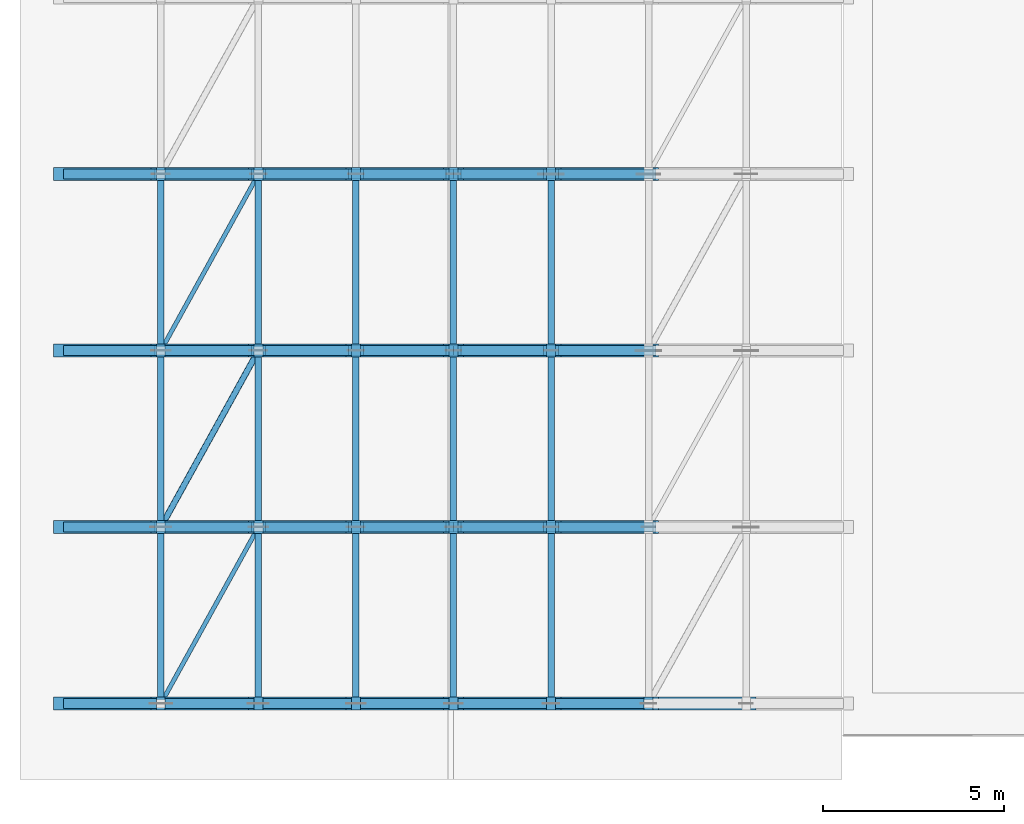
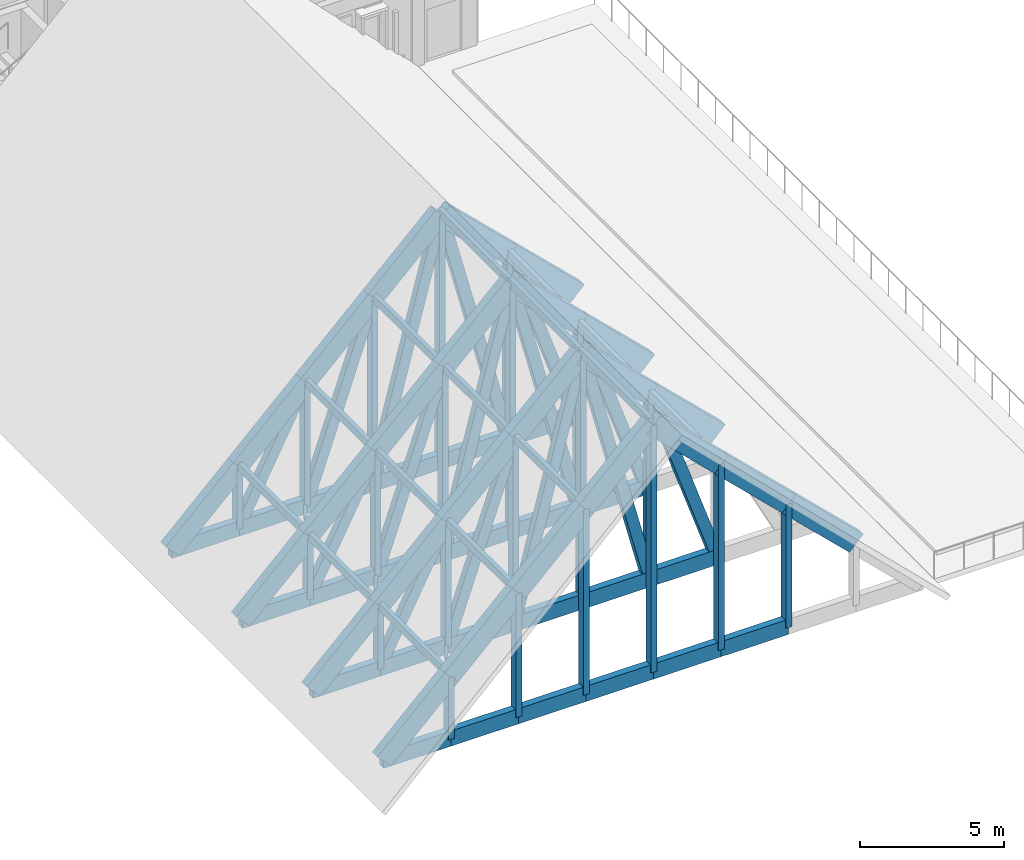
# One storey, part 7 of 79: 103 members.
"""IFC4 building model written with IfcOpenShell, lengths in metres."""

from ifc_helpers import new_model, si_unit, direction, frame, origin, origin_2d, place, context, subcontext, project, spatial, rectangle, hollow_rectangle, hollow_circle, extrude, material, material_profile, profile_set, type_object, element, save


model = new_model("IFC4")

# Units and contexts
model_context = context("Model", 3, precision=1e-05, world=origin(), true_north=direction((0.0, 1.0)))
body_context = subcontext(model_context, "Body", "Model", "MODEL_VIEW")
ifc_project = project(units=[si_unit("LENGTHUNIT", "METRE"), si_unit("AREAUNIT", "SQUARE_METRE"), si_unit("VOLUMEUNIT", "CUBIC_METRE"), si_unit("PLANEANGLEUNIT", "RADIAN"), si_unit("MASSUNIT", "GRAM", prefix="KILO")], contexts=[model_context])

# Site, building, storey
site_placement = place(None, origin())
site = spatial("IfcSite", under=ifc_project, at=site_placement, CompositionType="ELEMENT")
building_placement = place(site_placement, origin())
building = spatial("IfcBuilding", under=site, at=building_placement, Name="Nzembalo Square Collegiate School", CompositionType="ELEMENT")
storey_placement = place(building_placement, frame((0.0, 0.0, 9.52001953125)))
storey = spatial("IfcBuildingStorey", under=building, at=storey_placement, Name="L02", CompositionType="ELEMENT", Elevation=9.52001953125)

# Members
ifc_material_1 = material(Name="Steel S355", Category="steel")
ifc_material_profile_1 = material_profile(ifc_material_1, hollow_circle(Radius=0.083984375, WallThickness=0.008056640625, at=origin_2d()), Name="CHS 168x8")
ifc_profile_set_1 = profile_set([ifc_material_profile_1], Name="Steel S355")
member_type_1 = type_object("IfcMemberType", Name="BR01", PredefinedType="BRACE", material=ifc_profile_set_1)
member_1_placement = place(storey_placement, frame((11.10009765625, 14.185791015625, -0.60009765625), z_axis=(0.483695810536, 0.875236175481, 0.0), x_axis=(-0.875236175481, 0.483695810536, 0.0)))
element("IfcMember", 1, at=member_1_placement, inside=storey, type_object=member_type_1, Name="Roof wind brace BR01 GT-SH1-03-1", PredefinedType="BRACE", context=body_context, shape_type="SweptSolid", body=[
    extrude(hollow_circle(Radius=0.083984375, WallThickness=0.008056640625, at=origin_2d()), origin(), (0.0, 0.0, 1.0), 5.58203125),
])
ifc_material_2 = material(Name="Steel S355", Category="steel")
ifc_material_profile_2 = material_profile(ifc_material_2, hollow_rectangle(XDim=0.1201171875, YDim=0.199951171875, WallThickness=0.008056640625, at=origin_2d()), Name="RHS 200x120x8")
ifc_profile_set_2 = profile_set([ifc_material_profile_2], Name="Steel S355")
member_type_2 = type_object("IfcMemberType", Name="BR02", PredefinedType="BRACE", material=ifc_profile_set_2)
for number, where, z_axis, x_axis, name in (
    (2, (11.10009765625, 9.300048828125, -0.60009765625), (0.483677294843, 0.875246407849, 0.0), (-0.875246407849, 0.483677294843, 0.0), "Roof wind brace BR02 GT-SH1-02-1"),
    (3, (11.10009765625, 19.0712890625, -0.60009765625), (0.483677294843, 0.875246407849, 0.0), (-0.875246407849, 0.483677294843, 0.0), "Roof wind brace BR02 GT-SH1-04-1"),
):
    element("IfcMember", number, at=place(storey_placement, frame(where, z_axis=z_axis, x_axis=x_axis)), inside=storey, type_object=member_type_2, Name=name, PredefinedType="BRACE", context=body_context, shape_type="SweptSolid", body=[
        extrude(hollow_rectangle(XDim=0.1201171875, YDim=0.199951171875, WallThickness=0.008056640625, at=origin_2d()), origin(), (0.0, 0.0, 1.0), 5.58203125),
    ])
ifc_material_3 = material(Name="Glulam GL28h", Category="wood")
ifc_material_profile_3 = material_profile(ifc_material_3, rectangle(XDim=0.179931640625, YDim=0.320068359375, at=origin_2d()), Name="GL28h 180x320")
ifc_profile_set_3 = profile_set([ifc_material_profile_3], Name="Glulam GL28h")
member_type_3 = type_object("IfcMemberType", Name="PR01", PredefinedType="PURLIN", material=ifc_profile_set_3)
for number, where, z_axis, x_axis, name in (
    (4, (11.10009765625, 9.300048828125, 2.058349609375), (0.0, 1.0, 0.0), (-1.0, 0.0, 0.0), "Roof purlin PR01 GT-SH1-02-1"),
    (5, (13.800048828125, 9.300048828125, 4.675048828125), (0.0, 1.0, 0.0), (-1.0, 0.0, 0.0), "Roof purlin PR01 GT-SH1-02-2"),
    (6, (16.5, 9.300048828125, 7.2900390625), (0.0, 1.0, 0.0), (-1.0, 0.0, 0.0), "Roof purlin PR01 GT-SH1-02-3"),
    (7, (19.199951171875, 9.300048828125, 9.905029296875), (0.0, 1.0, 0.0), (-1.0, 0.0, 0.0), "Roof purlin PR01 GT-SH1-02-4"),
    (8, (21.89990234375, 9.300048828125, 7.2900390625), (0.0, 1.0, 0.0), (-1.0, 0.0, 0.0), "Roof purlin PR01 GT-SH1-02-5"),
):
    element("IfcMember", number, at=place(storey_placement, frame(where, z_axis=z_axis, x_axis=x_axis)), inside=storey, type_object=member_type_3, Name=name, PredefinedType="PURLIN", context=body_context, shape_type="SweptSolid", body=[
        extrude(rectangle(XDim=0.179931640625, YDim=0.320068359375, at=origin_2d()), origin(), (0.0, 0.0, 1.0), 4.8857421875),
    ])
for number, where, z_axis, x_axis, name in (
    (9, (11.10009765625, 14.185791015625, 2.058349609375), (0.0, 1.0, 0.0), (-1.0, 0.0, 0.0), "Roof purlin PR01 GT-SH1-03-1"),
    (10, (13.800048828125, 14.185791015625, 4.675048828125), (0.0, 1.0, 0.0), (-1.0, 0.0, 0.0), "Roof purlin PR01 GT-SH1-03-2"),
    (11, (16.5, 14.185791015625, 7.2900390625), (0.0, 1.0, 0.0), (-1.0, 0.0, 0.0), "Roof purlin PR01 GT-SH1-03-3"),
    (12, (19.199951171875, 14.185791015625, 9.905029296875), (0.0, 1.0, 0.0), (-1.0, 0.0, 0.0), "Roof purlin PR01 GT-SH1-03-4"),
    (13, (21.89990234375, 14.185791015625, 7.2900390625), (0.0, 1.0, 0.0), (-1.0, 0.0, 0.0), "Roof purlin PR01 GT-SH1-03-5"),
):
    element("IfcMember", number, at=place(storey_placement, frame(where, z_axis=z_axis, x_axis=x_axis)), inside=storey, type_object=member_type_3, Name=name, PredefinedType="PURLIN", context=body_context, shape_type="SweptSolid", body=[
        extrude(rectangle(XDim=0.179931640625, YDim=0.320068359375, at=origin_2d()), origin(), (0.0, 0.0, 1.0), 4.885498046875),
    ])
for number, where, z_axis, x_axis, name in (
    (14, (11.10009765625, 19.0712890625, 2.058349609375), (0.0, 1.0, 0.0), (-1.0, 0.0, 0.0), "Roof purlin PR01 GT-SH1-04-1"),
    (15, (13.800048828125, 19.0712890625, 4.675048828125), (0.0, 1.0, 0.0), (-1.0, 0.0, 0.0), "Roof purlin PR01 GT-SH1-04-2"),
    (16, (16.5, 19.0712890625, 7.2900390625), (0.0, 1.0, 0.0), (-1.0, 0.0, 0.0), "Roof purlin PR01 GT-SH1-04-3"),
    (17, (19.199951171875, 19.0712890625, 9.905029296875), (0.0, 1.0, 0.0), (-1.0, 0.0, 0.0), "Roof purlin PR01 GT-SH1-04-4"),
    (18, (21.89990234375, 19.0712890625, 7.2900390625), (0.0, 1.0, 0.0), (-1.0, 0.0, 0.0), "Roof purlin PR01 GT-SH1-04-5"),
):
    element("IfcMember", number, at=place(storey_placement, frame(where, z_axis=z_axis, x_axis=x_axis)), inside=storey, type_object=member_type_3, Name=name, PredefinedType="PURLIN", context=body_context, shape_type="SweptSolid", body=[
        extrude(rectangle(XDim=0.179931640625, YDim=0.320068359375, at=origin_2d()), origin(), (0.0, 0.0, 1.0), 4.8857421875),
    ])
ifc_material_4 = material(Name="Glulam GL32h", Category="wood")
ifc_material_profile_4 = material_profile(ifc_material_4, rectangle(XDim=0.360107421875, YDim=0.800048828125, at=origin_2d()), Name="GL32h 360x800")
ifc_profile_set_4 = profile_set([ifc_material_profile_4], Name="Glulam GL32h")
member_type_4 = type_object("IfcMemberType", Name="TC01", PredefinedType="CHORD", material=ifc_profile_set_4)
for number, where, z_axis, x_axis, name in (
    (19, (8.39990234375, 9.300048828125, -0.60009765625), (0.718349762218, 0.0, 0.695682125056), (0.0, 1.0, 0.0), "GT-SH1-01 top chord 1"),
    (20, (11.10009765625, 9.300048828125, 2.014892578125), (0.71831832581, 0.0, 0.695714584298), (0.0, 1.0, 0.0), "GT-SH1-01 top chord 2"),
    (21, (13.800048828125, 9.300048828125, 4.6298828125), (0.71831832581, 0.0, 0.695714584298), (0.0, 1.0, 0.0), "GT-SH1-01 top chord 3"),
    (22, (16.5, 9.300048828125, 7.244873046875), (0.71831832581, 0.0, 0.695714584298), (0.0, 1.0, 0.0), "GT-SH1-01 top chord 4"),
    (23, (19.199951171875, 9.300048828125, 9.85986328125), (0.71831832581, 0.0, -0.695714584298), (0.0, 1.0, 0.0), "GT-SH1-01 top chord 5"),
    (24, (21.89990234375, 9.300048828125, 7.244873046875), (0.718349762218, 0.0, -0.695682125056), (0.0, 1.0, 0.0), "GT-SH1-01 top chord 6"),
    (25, (24.60009765625, 9.300048828125, 4.6298828125), (0.71831832581, 0.0, -0.695714584298), (0.0, 1.0, 0.0), "GT-SH1-01 top chord 7"),
    (26, (8.39990234375, 14.185791015625, -0.60009765625), (0.718349762218, 0.0, 0.695682125056), (0.0, 1.0, 0.0), "GT-SH1-02 top chord 1"),
    (27, (11.10009765625, 14.185791015625, 2.014892578125), (0.71831832581, 0.0, 0.695714584298), (0.0, 1.0, 0.0), "GT-SH1-02 top chord 2"),
    (28, (13.800048828125, 14.185791015625, 4.6298828125), (0.71831832581, 0.0, 0.695714584298), (0.0, 1.0, 0.0), "GT-SH1-02 top chord 3"),
    (29, (16.5, 14.185791015625, 7.244873046875), (0.71831832581, 0.0, 0.695714584298), (0.0, 1.0, 0.0), "GT-SH1-02 top chord 4"),
    (30, (19.199951171875, 14.185791015625, 9.85986328125), (0.71831832581, 0.0, -0.695714584298), (0.0, 1.0, 0.0), "GT-SH1-02 top chord 5"),
    (31, (21.89990234375, 14.185791015625, 7.244873046875), (0.718349762218, 0.0, -0.695682125056), (0.0, 1.0, 0.0), "GT-SH1-02 top chord 6"),
    (32, (8.39990234375, 19.0712890625, -0.60009765625), (0.718349762218, 0.0, 0.695682125056), (0.0, 1.0, 0.0), "GT-SH1-03 top chord 1"),
    (33, (11.10009765625, 19.0712890625, 2.014892578125), (0.71831832581, 0.0, 0.695714584298), (0.0, 1.0, 0.0), "GT-SH1-03 top chord 2"),
    (34, (13.800048828125, 19.0712890625, 4.6298828125), (0.71831832581, 0.0, 0.695714584298), (0.0, 1.0, 0.0), "GT-SH1-03 top chord 3"),
    (35, (16.5, 19.0712890625, 7.244873046875), (0.71831832581, 0.0, 0.695714584298), (0.0, 1.0, 0.0), "GT-SH1-03 top chord 4"),
    (36, (19.199951171875, 19.0712890625, 9.85986328125), (0.71831832581, 0.0, -0.695714584298), (0.0, 1.0, 0.0), "GT-SH1-03 top chord 5"),
    (37, (21.89990234375, 19.0712890625, 7.244873046875), (0.718349762218, 0.0, -0.695682125056), (0.0, 1.0, 0.0), "GT-SH1-03 top chord 6"),
    (38, (8.39990234375, 23.95703125, -0.60009765625), (0.718349762218, 0.0, 0.695682125056), (0.0, 1.0, 0.0), "GT-SH1-04 top chord 1"),
    (39, (11.10009765625, 23.95703125, 2.014892578125), (0.71831832581, 0.0, 0.695714584298), (0.0, 1.0, 0.0), "GT-SH1-04 top chord 2"),
    (40, (13.800048828125, 23.95703125, 4.6298828125), (0.71831832581, 0.0, 0.695714584298), (0.0, 1.0, 0.0), "GT-SH1-04 top chord 3"),
    (41, (16.5, 23.95703125, 7.244873046875), (0.71831832581, 0.0, 0.695714584298), (0.0, 1.0, 0.0), "GT-SH1-04 top chord 4"),
    (42, (19.199951171875, 23.95703125, 9.85986328125), (0.71831832581, 0.0, -0.695714584298), (0.0, 1.0, 0.0), "GT-SH1-04 top chord 5"),
    (43, (21.89990234375, 23.95703125, 7.244873046875), (0.718349762218, 0.0, -0.695682125056), (0.0, 1.0, 0.0), "GT-SH1-04 top chord 6"),
):
    element("IfcMember", number, at=place(storey_placement, frame(where, z_axis=z_axis, x_axis=x_axis)), inside=storey, type_object=member_type_4, Name=name, PredefinedType="CHORD", context=body_context, shape_type="SweptSolid", body=[
        extrude(rectangle(XDim=0.360107421875, YDim=0.800048828125, at=origin_2d()), origin(), (0.0, 0.0, 1.0), 3.7587890625),
    ])
ifc_material_5 = material(Name="Glulam GL32h", Category="wood")
ifc_material_profile_5 = material_profile(ifc_material_5, rectangle(XDim=0.280029296875, YDim=0.639892578125, at=origin_2d()), Name="GL32h 280x640")
ifc_profile_set_5 = profile_set([ifc_material_profile_5], Name="Glulam GL32h")
member_type_5 = type_object("IfcMemberType", Name="TC02", PredefinedType="CHORD", material=ifc_profile_set_5)
member_2_placement = place(storey_placement, frame((8.39990234375, 9.300048828125, -0.60009765625), z_axis=(1.0, 0.0, 0.0), x_axis=(0.0, 1.0, 0.0)))
element("IfcMember", 44, at=member_2_placement, inside=storey, type_object=member_type_5, Name="GT-SH1-01 bottom chord 1", PredefinedType="CHORD", context=body_context, shape_type="SweptSolid", body=[
    extrude(rectangle(XDim=0.280029296875, YDim=0.639892578125, at=origin_2d()), origin(), (0.0, 0.0, 1.0), 2.7001953125),
])
for number, where, z_axis, x_axis, name in (
    (45, (11.10009765625, 9.300048828125, -0.60009765625), (1.0, 0.0, 0.0), (0.0, 1.0, 0.0), "GT-SH1-01 bottom chord 2"),
    (46, (13.800048828125, 9.300048828125, -0.60009765625), (1.0, 0.0, 0.0), (0.0, 1.0, 0.0), "GT-SH1-01 bottom chord 3"),
    (47, (16.5, 9.300048828125, -0.60009765625), (1.0, 0.0, 0.0), (0.0, 1.0, 0.0), "GT-SH1-01 bottom chord 4"),
    (48, (19.199951171875, 9.300048828125, -0.60009765625), (1.0, 0.0, 0.0), (0.0, 1.0, 0.0), "GT-SH1-01 bottom chord 5"),
):
    element("IfcMember", number, at=place(storey_placement, frame(where, z_axis=z_axis, x_axis=x_axis)), inside=storey, type_object=member_type_5, Name=name, PredefinedType="CHORD", context=body_context, shape_type="SweptSolid", body=[
        extrude(rectangle(XDim=0.280029296875, YDim=0.639892578125, at=origin_2d()), origin(), (0.0, 0.0, 1.0), 2.699951171875),
    ])
for number, where, z_axis, x_axis, name in (
    (49, (21.89990234375, 9.300048828125, -0.60009765625), (1.0, 0.0, 0.0), (0.0, 1.0, 0.0), "GT-SH1-01 bottom chord 6"),
    (50, (8.39990234375, 14.185791015625, -0.60009765625), (1.0, 0.0, 0.0), (0.0, 1.0, 0.0), "GT-SH1-02 bottom chord 1"),
):
    element("IfcMember", number, at=place(storey_placement, frame(where, z_axis=z_axis, x_axis=x_axis)), inside=storey, type_object=member_type_5, Name=name, PredefinedType="CHORD", context=body_context, shape_type="SweptSolid", body=[
        extrude(rectangle(XDim=0.280029296875, YDim=0.639892578125, at=origin_2d()), origin(), (0.0, 0.0, 1.0), 2.7001953125),
    ])
for number, where, z_axis, x_axis, name in (
    (51, (11.10009765625, 14.185791015625, -0.60009765625), (1.0, 0.0, 0.0), (0.0, 1.0, 0.0), "GT-SH1-02 bottom chord 2"),
    (52, (13.800048828125, 14.185791015625, -0.60009765625), (1.0, 0.0, 0.0), (0.0, 1.0, 0.0), "GT-SH1-02 bottom chord 3"),
    (53, (16.5, 14.185791015625, -0.60009765625), (1.0, 0.0, 0.0), (0.0, 1.0, 0.0), "GT-SH1-02 bottom chord 4"),
    (54, (19.199951171875, 14.185791015625, -0.60009765625), (1.0, 0.0, 0.0), (0.0, 1.0, 0.0), "GT-SH1-02 bottom chord 5"),
):
    element("IfcMember", number, at=place(storey_placement, frame(where, z_axis=z_axis, x_axis=x_axis)), inside=storey, type_object=member_type_5, Name=name, PredefinedType="CHORD", context=body_context, shape_type="SweptSolid", body=[
        extrude(rectangle(XDim=0.280029296875, YDim=0.639892578125, at=origin_2d()), origin(), (0.0, 0.0, 1.0), 2.699951171875),
    ])
for number, where, z_axis, x_axis, name in (
    (55, (21.89990234375, 14.185791015625, -0.60009765625), (1.0, 0.0, 0.0), (0.0, 1.0, 0.0), "GT-SH1-02 bottom chord 6"),
    (56, (8.39990234375, 19.0712890625, -0.60009765625), (1.0, 0.0, 0.0), (0.0, 1.0, 0.0), "GT-SH1-03 bottom chord 1"),
):
    element("IfcMember", number, at=place(storey_placement, frame(where, z_axis=z_axis, x_axis=x_axis)), inside=storey, type_object=member_type_5, Name=name, PredefinedType="CHORD", context=body_context, shape_type="SweptSolid", body=[
        extrude(rectangle(XDim=0.280029296875, YDim=0.639892578125, at=origin_2d()), origin(), (0.0, 0.0, 1.0), 2.7001953125),
    ])
for number, where, z_axis, x_axis, name in (
    (57, (11.10009765625, 19.0712890625, -0.60009765625), (1.0, 0.0, 0.0), (0.0, 1.0, 0.0), "GT-SH1-03 bottom chord 2"),
    (58, (13.800048828125, 19.0712890625, -0.60009765625), (1.0, 0.0, 0.0), (0.0, 1.0, 0.0), "GT-SH1-03 bottom chord 3"),
    (59, (16.5, 19.0712890625, -0.60009765625), (1.0, 0.0, 0.0), (0.0, 1.0, 0.0), "GT-SH1-03 bottom chord 4"),
    (60, (19.199951171875, 19.0712890625, -0.60009765625), (1.0, 0.0, 0.0), (0.0, 1.0, 0.0), "GT-SH1-03 bottom chord 5"),
):
    element("IfcMember", number, at=place(storey_placement, frame(where, z_axis=z_axis, x_axis=x_axis)), inside=storey, type_object=member_type_5, Name=name, PredefinedType="CHORD", context=body_context, shape_type="SweptSolid", body=[
        extrude(rectangle(XDim=0.280029296875, YDim=0.639892578125, at=origin_2d()), origin(), (0.0, 0.0, 1.0), 2.699951171875),
    ])
for number, where, z_axis, x_axis, name in (
    (61, (21.89990234375, 19.0712890625, -0.60009765625), (1.0, 0.0, 0.0), (0.0, 1.0, 0.0), "GT-SH1-03 bottom chord 6"),
    (62, (8.39990234375, 23.95703125, -0.60009765625), (1.0, 0.0, 0.0), (0.0, 1.0, 0.0), "GT-SH1-04 bottom chord 1"),
):
    element("IfcMember", number, at=place(storey_placement, frame(where, z_axis=z_axis, x_axis=x_axis)), inside=storey, type_object=member_type_5, Name=name, PredefinedType="CHORD", context=body_context, shape_type="SweptSolid", body=[
        extrude(rectangle(XDim=0.280029296875, YDim=0.639892578125, at=origin_2d()), origin(), (0.0, 0.0, 1.0), 2.7001953125),
    ])
for number, where, z_axis, x_axis, name in (
    (63, (11.10009765625, 23.95703125, -0.60009765625), (1.0, 0.0, 0.0), (0.0, 1.0, 0.0), "GT-SH1-04 bottom chord 2"),
    (64, (13.800048828125, 23.95703125, -0.60009765625), (1.0, 0.0, 0.0), (0.0, 1.0, 0.0), "GT-SH1-04 bottom chord 3"),
    (65, (16.5, 23.95703125, -0.60009765625), (1.0, 0.0, 0.0), (0.0, 1.0, 0.0), "GT-SH1-04 bottom chord 4"),
    (66, (19.199951171875, 23.95703125, -0.60009765625), (1.0, 0.0, 0.0), (0.0, 1.0, 0.0), "GT-SH1-04 bottom chord 5"),
):
    element("IfcMember", number, at=place(storey_placement, frame(where, z_axis=z_axis, x_axis=x_axis)), inside=storey, type_object=member_type_5, Name=name, PredefinedType="CHORD", context=body_context, shape_type="SweptSolid", body=[
        extrude(rectangle(XDim=0.280029296875, YDim=0.639892578125, at=origin_2d()), origin(), (0.0, 0.0, 1.0), 2.699951171875),
    ])
member_3_placement = place(storey_placement, frame((21.89990234375, 23.95703125, -0.60009765625), z_axis=(1.0, 0.0, 0.0), x_axis=(0.0, 1.0, 0.0)))
element("IfcMember", 67, at=member_3_placement, inside=storey, type_object=member_type_5, Name="GT-SH1-04 bottom chord 6", PredefinedType="CHORD", context=body_context, shape_type="SweptSolid", body=[
    extrude(rectangle(XDim=0.280029296875, YDim=0.639892578125, at=origin_2d()), origin(), (0.0, 0.0, 1.0), 2.7001953125),
])
ifc_material_6 = material(Name="Glulam GL32h", Category="wood")
ifc_material_profile_6 = material_profile(ifc_material_6, rectangle(XDim=0.280029296875, YDim=0.43994140625, at=origin_2d()), Name="GL32h 280x440")
ifc_profile_set_6 = profile_set([ifc_material_profile_6], Name="Glulam GL32h")
member_type_6 = type_object("IfcMemberType", Name="TD01", PredefinedType="BRACE", material=ifc_profile_set_6)
member_4_placement = place(storey_placement, frame((11.10009765625, 14.185791015625, -0.60009765625), z_axis=(0.458724275369, 0.0, 0.888578662352), x_axis=(0.0, 1.0, 0.0)))
element("IfcMember", 68, at=member_4_placement, inside=storey, type_object=member_type_6, Name="GT-SH1-02 web diagonal 1", PredefinedType="BRACE", context=body_context, shape_type="SweptSolid", body=[
    extrude(rectangle(XDim=0.280029296875, YDim=0.43994140625, at=origin_2d()), origin(), (0.0, 0.0, 1.0), 5.8857421875),
])
member_5_placement = place(storey_placement, frame((13.800048828125, 14.185791015625, -0.60009765625), z_axis=(0.325429268031, 0.0, 0.945566386622), x_axis=(0.0, 1.0, 0.0)))
element("IfcMember", 69, at=member_5_placement, inside=storey, type_object=member_type_6, Name="GT-SH1-02 web diagonal 2", PredefinedType="BRACE", context=body_context, shape_type="SweptSolid", body=[
    extrude(rectangle(XDim=0.280029296875, YDim=0.43994140625, at=origin_2d()), origin(), (0.0, 0.0, 1.0), 8.296630859375),
])
for number, where, z_axis, x_axis, name in (
    (70, (16.5, 14.185791015625, -0.60009765625), (0.249930648512, 0.0, 0.96826374038), (0.0, 1.0, 0.0), "GT-SH1-02 web diagonal 3"),
    (71, (21.89990234375, 14.185791015625, -0.60009765625), (-0.249930648512, 0.0, 0.96826374038), (0.0, -1.0, 0.0), "GT-SH1-02 web diagonal 4"),
):
    element("IfcMember", number, at=place(storey_placement, frame(where, z_axis=z_axis, x_axis=x_axis)), inside=storey, type_object=member_type_6, Name=name, PredefinedType="BRACE", context=body_context, shape_type="SweptSolid", body=[
        extrude(rectangle(XDim=0.280029296875, YDim=0.43994140625, at=origin_2d()), origin(), (0.0, 0.0, 1.0), 10.802734375),
    ])
member_6_placement = place(storey_placement, frame((24.60009765625, 14.185791015625, -0.60009765625), z_axis=(-0.325455577893, 0.0, 0.945557331323), x_axis=(0.0, -1.0, 0.0)))
element("IfcMember", 72, at=member_6_placement, inside=storey, type_object=member_type_6, Name="GT-SH1-02 web diagonal 5", PredefinedType="BRACE", context=body_context, shape_type="SweptSolid", body=[
    extrude(rectangle(XDim=0.280029296875, YDim=0.43994140625, at=origin_2d()), origin(), (0.0, 0.0, 1.0), 8.296630859375),
])
member_7_placement = place(storey_placement, frame((11.10009765625, 19.0712890625, -0.60009765625), z_axis=(0.458724275369, 0.0, 0.888578662352), x_axis=(0.0, 1.0, 0.0)))
element("IfcMember", 73, at=member_7_placement, inside=storey, type_object=member_type_6, Name="GT-SH1-03 web diagonal 1", PredefinedType="BRACE", context=body_context, shape_type="SweptSolid", body=[
    extrude(rectangle(XDim=0.280029296875, YDim=0.43994140625, at=origin_2d()), origin(), (0.0, 0.0, 1.0), 5.8857421875),
])
member_8_placement = place(storey_placement, frame((13.800048828125, 19.0712890625, -0.60009765625), z_axis=(0.325429268031, 0.0, 0.945566386622), x_axis=(0.0, 1.0, 0.0)))
element("IfcMember", 74, at=member_8_placement, inside=storey, type_object=member_type_6, Name="GT-SH1-03 web diagonal 2", PredefinedType="BRACE", context=body_context, shape_type="SweptSolid", body=[
    extrude(rectangle(XDim=0.280029296875, YDim=0.43994140625, at=origin_2d()), origin(), (0.0, 0.0, 1.0), 8.296630859375),
])
for number, where, z_axis, x_axis, name in (
    (75, (16.5, 19.0712890625, -0.60009765625), (0.249930648512, 0.0, 0.96826374038), (0.0, 1.0, 0.0), "GT-SH1-03 web diagonal 3"),
    (76, (21.89990234375, 19.0712890625, -0.60009765625), (-0.249930648512, 0.0, 0.96826374038), (0.0, -1.0, 0.0), "GT-SH1-03 web diagonal 4"),
):
    element("IfcMember", number, at=place(storey_placement, frame(where, z_axis=z_axis, x_axis=x_axis)), inside=storey, type_object=member_type_6, Name=name, PredefinedType="BRACE", context=body_context, shape_type="SweptSolid", body=[
        extrude(rectangle(XDim=0.280029296875, YDim=0.43994140625, at=origin_2d()), origin(), (0.0, 0.0, 1.0), 10.802734375),
    ])
member_9_placement = place(storey_placement, frame((24.60009765625, 19.0712890625, -0.60009765625), z_axis=(-0.325455577893, 0.0, 0.945557331323), x_axis=(0.0, -1.0, 0.0)))
element("IfcMember", 77, at=member_9_placement, inside=storey, type_object=member_type_6, Name="GT-SH1-03 web diagonal 5", PredefinedType="BRACE", context=body_context, shape_type="SweptSolid", body=[
    extrude(rectangle(XDim=0.280029296875, YDim=0.43994140625, at=origin_2d()), origin(), (0.0, 0.0, 1.0), 8.296630859375),
])
member_10_placement = place(storey_placement, frame((11.10009765625, 23.95703125, -0.60009765625), z_axis=(0.458724275369, 0.0, 0.888578662352), x_axis=(0.0, 1.0, 0.0)))
element("IfcMember", 78, at=member_10_placement, inside=storey, type_object=member_type_6, Name="GT-SH1-04 web diagonal 1", PredefinedType="BRACE", context=body_context, shape_type="SweptSolid", body=[
    extrude(rectangle(XDim=0.280029296875, YDim=0.43994140625, at=origin_2d()), origin(), (0.0, 0.0, 1.0), 5.8857421875),
])
member_11_placement = place(storey_placement, frame((13.800048828125, 23.95703125, -0.60009765625), z_axis=(0.325429268031, 0.0, 0.945566386622), x_axis=(0.0, 1.0, 0.0)))
element("IfcMember", 79, at=member_11_placement, inside=storey, type_object=member_type_6, Name="GT-SH1-04 web diagonal 2", PredefinedType="BRACE", context=body_context, shape_type="SweptSolid", body=[
    extrude(rectangle(XDim=0.280029296875, YDim=0.43994140625, at=origin_2d()), origin(), (0.0, 0.0, 1.0), 8.296630859375),
])
for number, where, z_axis, x_axis, name in (
    (80, (16.5, 23.95703125, -0.60009765625), (0.249930648512, 0.0, 0.96826374038), (0.0, 1.0, 0.0), "GT-SH1-04 web diagonal 3"),
    (81, (21.89990234375, 23.95703125, -0.60009765625), (-0.249930648512, 0.0, 0.96826374038), (0.0, -1.0, 0.0), "GT-SH1-04 web diagonal 4"),
):
    element("IfcMember", number, at=place(storey_placement, frame(where, z_axis=z_axis, x_axis=x_axis)), inside=storey, type_object=member_type_6, Name=name, PredefinedType="BRACE", context=body_context, shape_type="SweptSolid", body=[
        extrude(rectangle(XDim=0.280029296875, YDim=0.43994140625, at=origin_2d()), origin(), (0.0, 0.0, 1.0), 10.802734375),
    ])
member_12_placement = place(storey_placement, frame((24.60009765625, 23.95703125, -0.60009765625), z_axis=(-0.325455577893, 0.0, 0.945557331323), x_axis=(0.0, -1.0, 0.0)))
element("IfcMember", 82, at=member_12_placement, inside=storey, type_object=member_type_6, Name="GT-SH1-04 web diagonal 5", PredefinedType="BRACE", context=body_context, shape_type="SweptSolid", body=[
    extrude(rectangle(XDim=0.280029296875, YDim=0.43994140625, at=origin_2d()), origin(), (0.0, 0.0, 1.0), 8.296630859375),
])
ifc_material_7 = material(Name="Glulam GL32h", Category="wood")
ifc_material_profile_7 = material_profile(ifc_material_7, rectangle(XDim=0.239990234375, YDim=0.360107421875, at=origin_2d()), Name="GL32h 240x360")
ifc_profile_set_7 = profile_set([ifc_material_profile_7], Name="Glulam GL32h")
member_type_7 = type_object("IfcMemberType", Name="TP01", PredefinedType="POST", material=ifc_profile_set_7)
member_13_placement = place(storey_placement, frame((11.10009765625, 9.300048828125, -0.60009765625), z_axis=(0.0, 0.0, 1.0), x_axis=(1.0, 0.0, 0.0)))
element("IfcMember", 83, at=member_13_placement, inside=storey, type_object=member_type_7, Name="GT-SH1-01 vertical post 1", PredefinedType="POST", context=body_context, shape_type="SweptSolid", body=[
    extrude(rectangle(XDim=0.239990234375, YDim=0.360107421875, at=origin_2d()), origin(), (0.0, 0.0, 1.0), 2.614990234375),
])
member_14_placement = place(storey_placement, frame((13.800048828125, 9.300048828125, -0.60009765625), z_axis=(0.0, 0.0, 1.0), x_axis=(1.0, 0.0, 0.0)))
element("IfcMember", 84, at=member_14_placement, inside=storey, type_object=member_type_7, Name="GT-SH1-01 vertical post 2", PredefinedType="POST", context=body_context, shape_type="SweptSolid", body=[
    extrude(rectangle(XDim=0.239990234375, YDim=0.360107421875, at=origin_2d()), origin(), (0.0, 0.0, 1.0), 5.22998046875),
])
member_15_placement = place(storey_placement, frame((16.5, 9.300048828125, -0.60009765625), z_axis=(0.0, 0.0, 1.0), x_axis=(1.0, 0.0, 0.0)))
element("IfcMember", 85, at=member_15_placement, inside=storey, type_object=member_type_7, Name="GT-SH1-01 vertical post 3", PredefinedType="POST", context=body_context, shape_type="SweptSolid", body=[
    extrude(rectangle(XDim=0.239990234375, YDim=0.360107421875, at=origin_2d()), origin(), (0.0, 0.0, 1.0), 7.844970703125),
])
member_16_placement = place(storey_placement, frame((19.199951171875, 9.300048828125, -0.60009765625), z_axis=(0.0, 0.0, 1.0), x_axis=(1.0, 0.0, 0.0)))
element("IfcMember", 86, at=member_16_placement, inside=storey, type_object=member_type_7, Name="GT-SH1-01 vertical post 4", PredefinedType="POST", context=body_context, shape_type="SweptSolid", body=[
    extrude(rectangle(XDim=0.239990234375, YDim=0.360107421875, at=origin_2d()), origin(), (0.0, 0.0, 1.0), 10.4599609375),
])
member_17_placement = place(storey_placement, frame((21.89990234375, 9.300048828125, -0.60009765625), z_axis=(0.0, 0.0, 1.0), x_axis=(1.0, 0.0, 0.0)))
element("IfcMember", 87, at=member_17_placement, inside=storey, type_object=member_type_7, Name="GT-SH1-01 vertical post 5", PredefinedType="POST", context=body_context, shape_type="SweptSolid", body=[
    extrude(rectangle(XDim=0.239990234375, YDim=0.360107421875, at=origin_2d()), origin(), (0.0, 0.0, 1.0), 7.844970703125),
])
member_18_placement = place(storey_placement, frame((24.60009765625, 9.300048828125, -0.60009765625), z_axis=(0.0, 0.0, 1.0), x_axis=(1.0, 0.0, 0.0)))
element("IfcMember", 88, at=member_18_placement, inside=storey, type_object=member_type_7, Name="GT-SH1-01 vertical post 6", PredefinedType="POST", context=body_context, shape_type="SweptSolid", body=[
    extrude(rectangle(XDim=0.239990234375, YDim=0.360107421875, at=origin_2d()), origin(), (0.0, 0.0, 1.0), 5.22998046875),
])
member_19_placement = place(storey_placement, frame((11.10009765625, 14.185791015625, -0.60009765625), z_axis=(0.0, 0.0, 1.0), x_axis=(1.0, 0.0, 0.0)))
element("IfcMember", 89, at=member_19_placement, inside=storey, type_object=member_type_7, Name="GT-SH1-02 vertical post 1", PredefinedType="POST", context=body_context, shape_type="SweptSolid", body=[
    extrude(rectangle(XDim=0.239990234375, YDim=0.360107421875, at=origin_2d()), origin(), (0.0, 0.0, 1.0), 2.614990234375),
])
member_20_placement = place(storey_placement, frame((13.800048828125, 14.185791015625, -0.60009765625), z_axis=(0.0, 0.0, 1.0), x_axis=(1.0, 0.0, 0.0)))
element("IfcMember", 90, at=member_20_placement, inside=storey, type_object=member_type_7, Name="GT-SH1-02 vertical post 2", PredefinedType="POST", context=body_context, shape_type="SweptSolid", body=[
    extrude(rectangle(XDim=0.239990234375, YDim=0.360107421875, at=origin_2d()), origin(), (0.0, 0.0, 1.0), 5.22998046875),
])
member_21_placement = place(storey_placement, frame((16.5, 14.185791015625, -0.60009765625), z_axis=(0.0, 0.0, 1.0), x_axis=(1.0, 0.0, 0.0)))
element("IfcMember", 91, at=member_21_placement, inside=storey, type_object=member_type_7, Name="GT-SH1-02 vertical post 3", PredefinedType="POST", context=body_context, shape_type="SweptSolid", body=[
    extrude(rectangle(XDim=0.239990234375, YDim=0.360107421875, at=origin_2d()), origin(), (0.0, 0.0, 1.0), 7.844970703125),
])
member_22_placement = place(storey_placement, frame((19.199951171875, 14.185791015625, -0.60009765625), z_axis=(0.0, 0.0, 1.0), x_axis=(1.0, 0.0, 0.0)))
element("IfcMember", 92, at=member_22_placement, inside=storey, type_object=member_type_7, Name="GT-SH1-02 vertical post 4", PredefinedType="POST", context=body_context, shape_type="SweptSolid", body=[
    extrude(rectangle(XDim=0.239990234375, YDim=0.360107421875, at=origin_2d()), origin(), (0.0, 0.0, 1.0), 10.4599609375),
])
member_23_placement = place(storey_placement, frame((21.89990234375, 14.185791015625, -0.60009765625), z_axis=(0.0, 0.0, 1.0), x_axis=(1.0, 0.0, 0.0)))
element("IfcMember", 93, at=member_23_placement, inside=storey, type_object=member_type_7, Name="GT-SH1-02 vertical post 5", PredefinedType="POST", context=body_context, shape_type="SweptSolid", body=[
    extrude(rectangle(XDim=0.239990234375, YDim=0.360107421875, at=origin_2d()), origin(), (0.0, 0.0, 1.0), 7.844970703125),
])
member_24_placement = place(storey_placement, frame((11.10009765625, 19.0712890625, -0.60009765625), z_axis=(0.0, 0.0, 1.0), x_axis=(1.0, 0.0, 0.0)))
element("IfcMember", 94, at=member_24_placement, inside=storey, type_object=member_type_7, Name="GT-SH1-03 vertical post 1", PredefinedType="POST", context=body_context, shape_type="SweptSolid", body=[
    extrude(rectangle(XDim=0.239990234375, YDim=0.360107421875, at=origin_2d()), origin(), (0.0, 0.0, 1.0), 2.614990234375),
])
member_25_placement = place(storey_placement, frame((13.800048828125, 19.0712890625, -0.60009765625), z_axis=(0.0, 0.0, 1.0), x_axis=(1.0, 0.0, 0.0)))
element("IfcMember", 95, at=member_25_placement, inside=storey, type_object=member_type_7, Name="GT-SH1-03 vertical post 2", PredefinedType="POST", context=body_context, shape_type="SweptSolid", body=[
    extrude(rectangle(XDim=0.239990234375, YDim=0.360107421875, at=origin_2d()), origin(), (0.0, 0.0, 1.0), 5.22998046875),
])
member_26_placement = place(storey_placement, frame((16.5, 19.0712890625, -0.60009765625), z_axis=(0.0, 0.0, 1.0), x_axis=(1.0, 0.0, 0.0)))
element("IfcMember", 96, at=member_26_placement, inside=storey, type_object=member_type_7, Name="GT-SH1-03 vertical post 3", PredefinedType="POST", context=body_context, shape_type="SweptSolid", body=[
    extrude(rectangle(XDim=0.239990234375, YDim=0.360107421875, at=origin_2d()), origin(), (0.0, 0.0, 1.0), 7.844970703125),
])
member_27_placement = place(storey_placement, frame((19.199951171875, 19.0712890625, -0.60009765625), z_axis=(0.0, 0.0, 1.0), x_axis=(1.0, 0.0, 0.0)))
element("IfcMember", 97, at=member_27_placement, inside=storey, type_object=member_type_7, Name="GT-SH1-03 vertical post 4", PredefinedType="POST", context=body_context, shape_type="SweptSolid", body=[
    extrude(rectangle(XDim=0.239990234375, YDim=0.360107421875, at=origin_2d()), origin(), (0.0, 0.0, 1.0), 10.4599609375),
])
member_28_placement = place(storey_placement, frame((21.89990234375, 19.0712890625, -0.60009765625), z_axis=(0.0, 0.0, 1.0), x_axis=(1.0, 0.0, 0.0)))
element("IfcMember", 98, at=member_28_placement, inside=storey, type_object=member_type_7, Name="GT-SH1-03 vertical post 5", PredefinedType="POST", context=body_context, shape_type="SweptSolid", body=[
    extrude(rectangle(XDim=0.239990234375, YDim=0.360107421875, at=origin_2d()), origin(), (0.0, 0.0, 1.0), 7.844970703125),
])
member_29_placement = place(storey_placement, frame((11.10009765625, 23.95703125, -0.60009765625), z_axis=(0.0, 0.0, 1.0), x_axis=(1.0, 0.0, 0.0)))
element("IfcMember", 99, at=member_29_placement, inside=storey, type_object=member_type_7, Name="GT-SH1-04 vertical post 1", PredefinedType="POST", context=body_context, shape_type="SweptSolid", body=[
    extrude(rectangle(XDim=0.239990234375, YDim=0.360107421875, at=origin_2d()), origin(), (0.0, 0.0, 1.0), 2.614990234375),
])
member_30_placement = place(storey_placement, frame((13.800048828125, 23.95703125, -0.60009765625), z_axis=(0.0, 0.0, 1.0), x_axis=(1.0, 0.0, 0.0)))
element("IfcMember", 100, at=member_30_placement, inside=storey, type_object=member_type_7, Name="GT-SH1-04 vertical post 2", PredefinedType="POST", context=body_context, shape_type="SweptSolid", body=[
    extrude(rectangle(XDim=0.239990234375, YDim=0.360107421875, at=origin_2d()), origin(), (0.0, 0.0, 1.0), 5.22998046875),
])
member_31_placement = place(storey_placement, frame((16.5, 23.95703125, -0.60009765625), z_axis=(0.0, 0.0, 1.0), x_axis=(1.0, 0.0, 0.0)))
element("IfcMember", 101, at=member_31_placement, inside=storey, type_object=member_type_7, Name="GT-SH1-04 vertical post 3", PredefinedType="POST", context=body_context, shape_type="SweptSolid", body=[
    extrude(rectangle(XDim=0.239990234375, YDim=0.360107421875, at=origin_2d()), origin(), (0.0, 0.0, 1.0), 7.844970703125),
])
member_32_placement = place(storey_placement, frame((19.199951171875, 23.95703125, -0.60009765625), z_axis=(0.0, 0.0, 1.0), x_axis=(1.0, 0.0, 0.0)))
element("IfcMember", 102, at=member_32_placement, inside=storey, type_object=member_type_7, Name="GT-SH1-04 vertical post 4", PredefinedType="POST", context=body_context, shape_type="SweptSolid", body=[
    extrude(rectangle(XDim=0.239990234375, YDim=0.360107421875, at=origin_2d()), origin(), (0.0, 0.0, 1.0), 10.4599609375),
])
member_33_placement = place(storey_placement, frame((21.89990234375, 23.95703125, -0.60009765625), z_axis=(0.0, 0.0, 1.0), x_axis=(1.0, 0.0, 0.0)))
element("IfcMember", 103, at=member_33_placement, inside=storey, type_object=member_type_7, Name="GT-SH1-04 vertical post 5", PredefinedType="POST", context=body_context, shape_type="SweptSolid", body=[
    extrude(rectangle(XDim=0.239990234375, YDim=0.360107421875, at=origin_2d()), origin(), (0.0, 0.0, 1.0), 7.844970703125),
])

save(model, "model.ifc")
